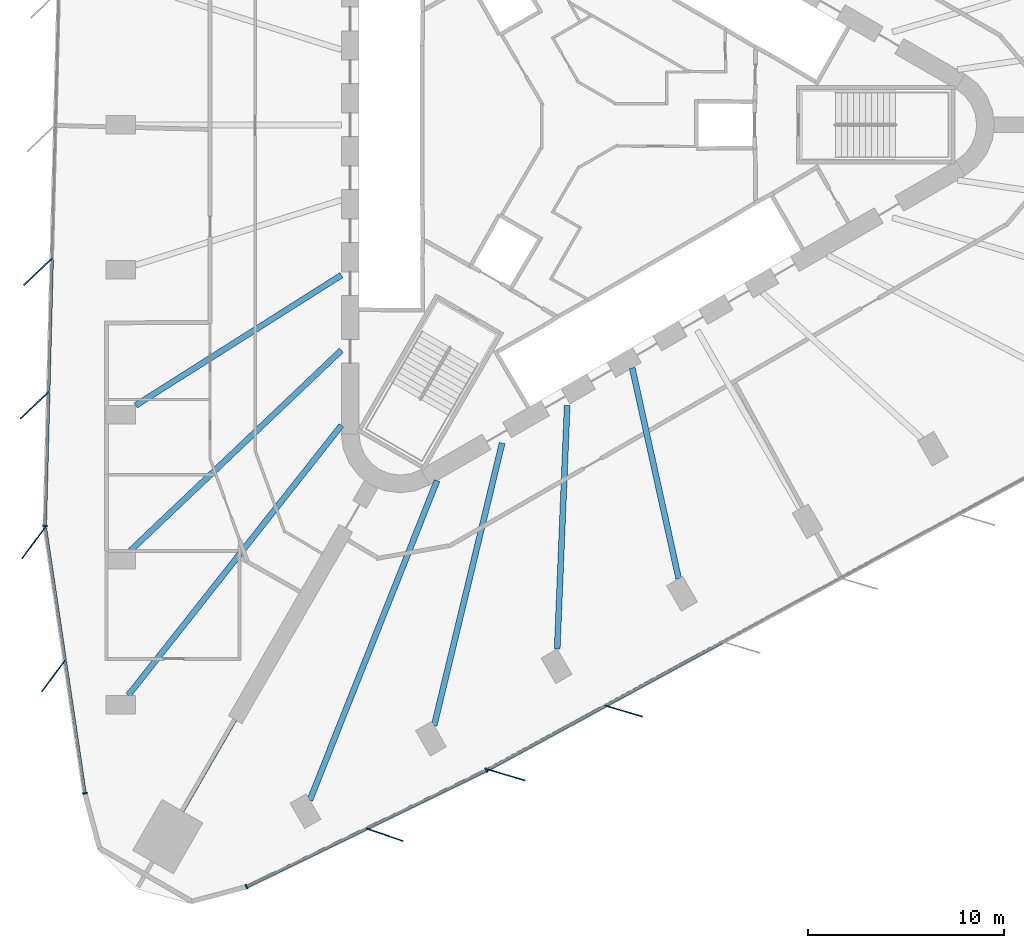
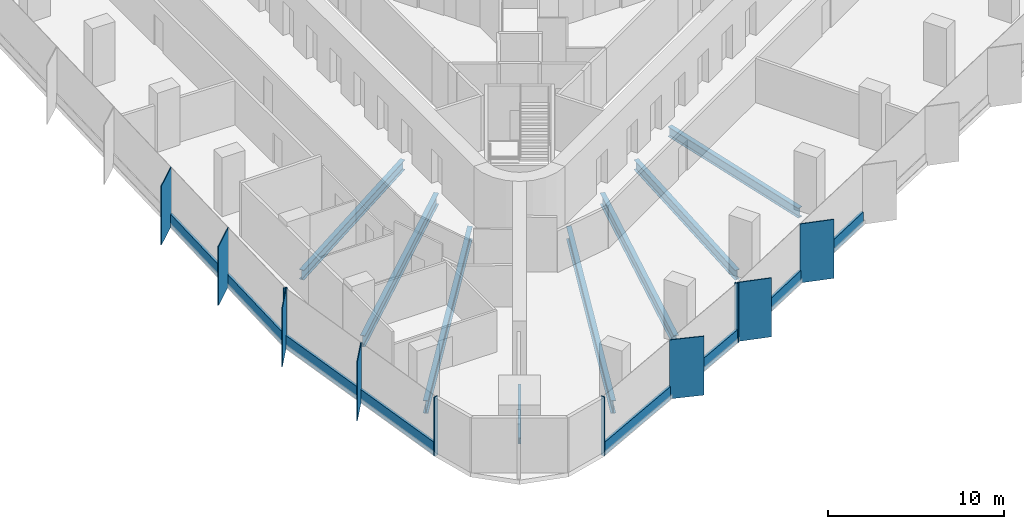
# One storey, part 2 of 13: 19 members, 8 beams, 4 elements without a shape of their own.
"""IFC4 building model written with IfcOpenShell, lengths in metres."""

from ifc_helpers import new_model, si_unit, direction, frame, origin, origin_2d, place, context, subcontext, project, spatial, rectangle, i_section, extrude, material, material_profile, profile_set, type_object, element, aggregate, save


model = new_model("IFC4")

# Units and contexts
model_context = context("Model", 3, precision=1e-05, world=origin(), true_north=direction((0.0, 1.0)))
body_context = subcontext(model_context, "Body", "Model", "MODEL_VIEW")
ifc_project = project(units=[si_unit("LENGTHUNIT", "METRE"), si_unit("AREAUNIT", "SQUARE_METRE"), si_unit("VOLUMEUNIT", "CUBIC_METRE"), si_unit("PLANEANGLEUNIT", "RADIAN"), si_unit("MASSUNIT", "GRAM", prefix="KILO")], contexts=[model_context])

# Site, building, storey
site_placement = place(None, origin())
site = spatial("IfcSite", under=ifc_project, at=site_placement, CompositionType="ELEMENT")
building_placement = place(site_placement, origin())
building = spatial("IfcBuilding", under=site, at=building_placement, Name="Tanit Gate Tower", CompositionType="ELEMENT")
storey_placement = place(building_placement, frame((0.0, 0.0, 66.0)))
storey = spatial("IfcBuildingStorey", under=building, at=storey_placement, Name="L12", CompositionType="ELEMENT", Elevation=66.0)

# Curtain wall, members
ifc_material_1 = material(Name="Aluminium bronze anodised and glass", Category="aluminium")
curtain_wall_type = type_object("IfcCurtainWallType", Name="Curtain wall typical low", PredefinedType="NOTDEFINED", material=ifc_material_1)
curtain_wall_1_placement = place(storey_placement, origin())
curtain_wall_1 = element("IfcCurtainWall", 1, at=curtain_wall_1_placement, inside=storey, type_object=curtain_wall_type, Name="Curtain wall L12 W2", PredefinedType="NOTDEFINED")
ifc_material_2 = material(Name="Aluminium bronze anodised", Category="aluminium")
ifc_material_profile_1 = material_profile(ifc_material_2, rectangle(XDim=2.0, YDim=0.055908203125, at=origin_2d()), Name="56x2000 bronze fin mullion")
ifc_profile_set_1 = profile_set([ifc_material_profile_1], Name="Aluminium bronze anodised")
member_type_1 = type_object("IfcMemberType", Name="FIN MULLION 56x2000 bronze", PredefinedType="MULLION", material=ifc_profile_set_1)
member_1_placement = place(storey_placement, frame((-27.569580078125, -7.487548828125, -0.300048828125), z_axis=(0.0, 0.0, 1.0), x_axis=(0.725200158595, 0.688538110764, 0.0)))
member_1 = element("IfcMember", 2, at=member_1_placement, type_object=member_type_1, Name="Fin mullion L12 W2.5", PredefinedType="MULLION", context=body_context, shape_type="SweptSolid", body=[
    extrude(rectangle(XDim=2.0, YDim=0.055908203125, at=origin_2d()), origin(), (0.0, 0.0, 1.0), 4.10009765625),
])
member_2_placement = place(storey_placement, frame((-27.746337890625, -14.302978515625, -0.300048828125), z_axis=(0.0, 0.0, 1.0), x_axis=(0.725200158595, 0.688538110764, 0.0)))
member_2 = element("IfcMember", 3, at=member_2_placement, type_object=member_type_1, Name="Fin mullion L12 W2.6", PredefinedType="MULLION", context=body_context, shape_type="SweptSolid", body=[
    extrude(rectangle(XDim=2.0, YDim=0.055908203125, at=origin_2d()), origin(), (0.0, 0.0, 1.0), 4.10009765625),
])

curtain_wall_2_placement = place(storey_placement, origin())
curtain_wall_2 = element("IfcCurtainWall", 4, at=curtain_wall_2_placement, inside=storey, type_object=curtain_wall_type, Name="Curtain wall L12 W3", PredefinedType="NOTDEFINED")
member_3_placement = place(storey_placement, frame((-27.790771484375, -21.310546875, -0.300048828125), z_axis=(0.0, 0.0, 1.0), x_axis=(0.594863059212, 0.803827059003, 0.0)))
member_3 = element("IfcMember", 5, at=member_3_placement, type_object=member_type_1, Name="Fin mullion L12 W3.1", PredefinedType="MULLION", context=body_context, shape_type="SweptSolid", body=[
    extrude(rectangle(XDim=2.0, YDim=0.055908203125, at=origin_2d()), origin(), (0.0, 0.0, 1.0), 4.10009765625),
])
member_4_placement = place(storey_placement, frame((-26.777587890625, -28.09326171875, -0.300048828125), z_axis=(0.0, 0.0, 1.0), x_axis=(0.594863059212, 0.803827059003, 0.0)))
member_4 = element("IfcMember", 6, at=member_4_placement, type_object=member_type_1, Name="Fin mullion L12 W3.2", PredefinedType="MULLION", context=body_context, shape_type="SweptSolid", body=[
    extrude(rectangle(XDim=2.0, YDim=0.055908203125, at=origin_2d()), origin(), (0.0, 0.0, 1.0), 4.10009765625),
])

# Curtain wall, member
curtain_wall_3_placement = place(storey_placement, origin())
curtain_wall_3 = element("IfcCurtainWall", 7, at=curtain_wall_3_placement, inside=storey, type_object=curtain_wall_type, Name="Curtain wall L12 SE1", PredefinedType="NOTDEFINED")
member_5_placement = place(storey_placement, frame((-9.89599609375, -36.200927734375, -0.300048828125), z_axis=(0.0, 0.0, 1.0), x_axis=(-0.944974693541, 0.327143437299, 0.0)))
member_5 = element("IfcMember", 8, at=member_5_placement, type_object=member_type_1, Name="Fin mullion L12 SE1.2", PredefinedType="MULLION", context=body_context, shape_type="SweptSolid", body=[
    extrude(rectangle(XDim=2.0, YDim=0.055908203125, at=origin_2d()), origin(), (0.0, 0.0, 1.0), 4.10009765625),
])

# Curtain wall, members
curtain_wall_4_placement = place(storey_placement, origin())
curtain_wall_4 = element("IfcCurtainWall", 9, at=curtain_wall_4_placement, inside=storey, type_object=curtain_wall_type, Name="Curtain wall L12 SE2", PredefinedType="NOTDEFINED")
member_6_placement = place(storey_placement, frame((-3.693359375, -33.150634765625, -0.300048828125), z_axis=(0.0, 0.0, 1.0), x_axis=(-0.958891574692, 0.28377270479, 0.0)))
member_6 = element("IfcMember", 10, at=member_6_placement, type_object=member_type_1, Name="Fin mullion L12 SE2.1", PredefinedType="MULLION", context=body_context, shape_type="SweptSolid", body=[
    extrude(rectangle(XDim=2.0, YDim=0.055908203125, at=origin_2d()), origin(), (0.0, 0.0, 1.0), 4.10009765625),
])
member_7_placement = place(storey_placement, frame((2.29736328125, -29.89599609375, -0.300048828125), z_axis=(0.0, 0.0, 1.0), x_axis=(-0.958891574692, 0.28377270479, 0.0)))
member_7 = element("IfcMember", 11, at=member_7_placement, type_object=member_type_1, Name="Fin mullion L12 SE2.2", PredefinedType="MULLION", context=body_context, shape_type="SweptSolid", body=[
    extrude(rectangle(XDim=2.0, YDim=0.055908203125, at=origin_2d()), origin(), (0.0, 0.0, 1.0), 4.10009765625),
])

# Member
ifc_material_3 = material(Name="Aluminium bronze anodised", Category="aluminium")
ifc_material_profile_2 = material_profile(ifc_material_3, rectangle(XDim=0.239990234375, YDim=0.080078125, at=origin_2d()), Name="80x240 bronze mullion")
ifc_profile_set_2 = profile_set([ifc_material_profile_2], Name="Aluminium bronze anodised")
member_type_2 = type_object("IfcMemberType", Name="Mullion 80x240 typical low", PredefinedType="MULLION", material=ifc_profile_set_2)
member_8_placement = place(storey_placement, frame((-27.21435546875, -20.4453125, -0.300048828125), z_axis=(0.0, 0.0, 1.0), x_axis=(0.999663917086, -0.025923982634, 0.0)))
member_8 = element("IfcMember", 12, at=member_8_placement, type_object=member_type_2, Name="Mullion L12 W2.7", PredefinedType="MULLION", context=body_context, shape_type="SweptSolid", body=[
    extrude(rectangle(XDim=0.239990234375, YDim=0.080078125, at=origin_2d()), origin(), (0.0, 0.0, 1.0), 4.10009765625),
])

member_9_placement = place(storey_placement, frame((-25.182861328125, -34.09033203125, -0.300048828125), z_axis=(0.0, 0.0, 1.0), x_axis=(0.989023267368, 0.147759861276, 0.0)))
member_9 = element("IfcMember", 13, at=member_9_placement, type_object=member_type_2, Name="Mullion L12 W3.3", PredefinedType="MULLION", context=body_context, shape_type="SweptSolid", body=[
    extrude(rectangle(XDim=0.239990234375, YDim=0.080078125, at=origin_2d()), origin(), (0.0, 0.0, 1.0), 4.10009765625),
])

member_10_placement = place(storey_placement, frame((-16.9375, -38.8525390625, -0.300048828125), z_axis=(0.0, 0.0, 1.0), x_axis=(-0.436872670918, 0.899523356787, 0.0)))
member_10 = element("IfcMember", 14, at=member_10_placement, type_object=member_type_2, Name="Mullion L12 SE1.1", PredefinedType="MULLION", context=body_context, shape_type="SweptSolid", body=[
    extrude(rectangle(XDim=0.239990234375, YDim=0.080078125, at=origin_2d()), origin(), (0.0, 0.0, 1.0), 4.10009765625),
])

member_11_placement = place(storey_placement, frame((-4.70166015625, -32.909912109375, -0.300048828125), z_axis=(0.0, 0.0, 1.0), x_axis=(-0.436872670918, 0.899523356787, 0.0)))
member_11 = element("IfcMember", 15, at=member_11_placement, type_object=member_type_2, Name="Mullion L12 SE1.3", PredefinedType="MULLION", context=body_context, shape_type="SweptSolid", body=[
    extrude(rectangle(XDim=0.239990234375, YDim=0.080078125, at=origin_2d()), origin(), (0.0, 0.0, 1.0), 4.10009765625),
])

# Beams
ifc_material_4 = material(Name="Steel S355", Category="steel")
ifc_material_profile_3 = material_profile(ifc_material_4, i_section(OverallWidth=0.300048828125, OverallDepth=0.68994140625, WebThickness=0.014404296875, FlangeThickness=0.027099609375, FilletRadius=0.027099609375, at=origin_2d()), Name="HEA 700")
ifc_profile_set_3 = profile_set([ifc_material_profile_3], Name="Steel S355")
beam_type_1 = type_object("IfcBeamType", Name="RADIAL GIRDER HEA 700 S355", PredefinedType="BEAM", material=ifc_profile_set_3)
for number, where, z_axis, x_axis, name in (
    (16, (-22.594482421875, -14.30810546875, -0.64501953125), (0.844843658907, 0.535013263392, 0.0), (-0.535013263392, 0.844843658907, 0.0), "RADIAL GIRDER"),
    (17, (-1.09375, -26.721435546875, -0.64501953125), (0.040888907348, 0.999163698928, 0.0), (-0.999163698928, 0.040888907348, 0.0), "RADIAL GIRDER"),
):
    element("IfcBeam", number, at=place(storey_placement, frame(where, z_axis=z_axis, x_axis=x_axis)), inside=storey, type_object=beam_type_1, Name=name, PredefinedType="BEAM", context=body_context, shape_type="SweptSolid", body=[
        extrude(i_section(OverallWidth=0.300048828125, OverallDepth=0.68994140625, WebThickness=0.014404296875, FlangeThickness=0.027099609375, FilletRadius=0.027099609375, at=origin_2d()), origin(), (0.0, 0.0, 1.0), 12.41943359375),
    ])
beam_1_placement = place(storey_placement, frame((5.101806640625, -23.144287109375, -0.64501953125), z_axis=(-0.215262511862, 0.976556220085, 0.0), x_axis=(-0.976556220085, -0.215262511862, 0.0)))
element("IfcBeam", 18, at=beam_1_placement, inside=storey, type_object=beam_type_1, Name="RADIAL GIRDER", PredefinedType="BEAM", context=body_context, shape_type="SweptSolid", body=[
    extrude(i_section(OverallWidth=0.300048828125, OverallDepth=0.68994140625, WebThickness=0.014404296875, FlangeThickness=0.027099609375, FilletRadius=0.027099609375, at=origin_2d()), origin(), (0.0, 0.0, 1.0), 11.005859375),
])
ifc_material_5 = material(Name="Steel S355", Category="steel")
ifc_material_profile_4 = material_profile(ifc_material_5, i_section(OverallWidth=0.300048828125, OverallDepth=0.7900390625, WebThickness=0.014892578125, FlangeThickness=0.028076171875, FilletRadius=0.030029296875, at=origin_2d()), Name="HEA 800")
ifc_profile_set_4 = profile_set([ifc_material_profile_4], Name="Steel S355")
beam_type_2 = type_object("IfcBeamType", Name="RADIAL GIRDER HEA 800 S355", PredefinedType="BEAM", material=ifc_profile_set_4)
beam_2_placement = place(storey_placement, frame((-22.844482421875, -21.69921875, -0.695068359375), z_axis=(0.725048389389, 0.688697925831, 0.0), x_axis=(-0.688697925831, 0.725048389389, 0.0)))
element("IfcBeam", 19, at=beam_2_placement, inside=storey, type_object=beam_type_2, Name="RADIAL GIRDER", PredefinedType="BEAM", context=body_context, shape_type="SweptSolid", body=[
    extrude(i_section(OverallWidth=0.300048828125, OverallDepth=0.7900390625, WebThickness=0.014892578125, FlangeThickness=0.028076171875, FilletRadius=0.030029296875, at=origin_2d()), origin(), (0.0, 0.0, 1.0), 14.816162109375),
])
beam_3_placement = place(storey_placement, frame((-7.3701171875, -30.633544921875, -0.695068359375), z_axis=(0.233918851889, 0.972256124039, 0.0), x_axis=(-0.972256124039, 0.233918851889, 0.0)))
element("IfcBeam", 20, at=beam_3_placement, inside=storey, type_object=beam_type_2, Name="RADIAL GIRDER", PredefinedType="BEAM", context=body_context, shape_type="SweptSolid", body=[
    extrude(i_section(OverallWidth=0.300048828125, OverallDepth=0.7900390625, WebThickness=0.014892578125, FlangeThickness=0.028076171875, FilletRadius=0.030029296875, at=origin_2d()), origin(), (0.0, 0.0, 1.0), 14.81640625),
])
ifc_material_6 = material(Name="Steel S355", Category="steel")
ifc_material_profile_5 = material_profile(ifc_material_6, i_section(OverallWidth=0.300048828125, OverallDepth=0.889892578125, WebThickness=0.01611328125, FlangeThickness=0.030029296875, FilletRadius=0.030029296875, at=origin_2d()), Name="HEA 900")
ifc_profile_set_5 = profile_set([ifc_material_profile_5], Name="Steel S355")
beam_type_3 = type_object("IfcBeamType", Name="RADIAL GIRDER HEA 900 S355", PredefinedType="BEAM", material=ifc_profile_set_5)
for number, where, z_axis, x_axis, name in (
    (21, (-22.969482421875, -29.0908203125, -0.7451171875), (0.619692585411, 0.784844634043, 0.0), (-0.784844634043, 0.619692585411, 0.0), "RADIAL GIRDER"),
    (22, (-13.708740234375, -34.4375, -0.7451171875), (0.369856388191, 0.929088936601, 0.0), (-0.929088936601, 0.369856388191, 0.0), "RADIAL GIRDER"),
):
    element("IfcBeam", number, at=place(storey_placement, frame(where, z_axis=z_axis, x_axis=x_axis)), inside=storey, type_object=beam_type_3, Name=name, PredefinedType="BEAM", context=body_context, shape_type="SweptSolid", body=[
        extrude(i_section(OverallWidth=0.300048828125, OverallDepth=0.889892578125, WebThickness=0.01611328125, FlangeThickness=0.030029296875, FilletRadius=0.030029296875, at=origin_2d()), origin(), (0.0, 0.0, 1.0), 17.536865234375),
    ])
ifc_material_7 = material(Name="Steel S355", Category="steel")
ifc_material_profile_6 = material_profile(ifc_material_7, i_section(OverallWidth=0.179931640625, OverallDepth=0.39990234375, WebThickness=0.008544921875, FlangeThickness=0.013427734375, FilletRadius=0.02099609375, at=origin_2d()), Name="IPE 400")
ifc_profile_set_6 = profile_set([ifc_material_profile_6], Name="Steel S355")
beam_type_4 = type_object("IfcBeamType", Name="RADIAL GIRDER IPE 400 S355", PredefinedType="BEAM", material=ifc_profile_set_6)
beam_4_placement = place(storey_placement, frame((-20.206787109375, -34.999267578125, -0.5), z_axis=(0.499994808408, 0.866028401131, 0.0), x_axis=(-0.866028401131, 0.499994808408, 0.0)))
element("IfcBeam", 23, at=beam_4_placement, inside=storey, type_object=beam_type_4, Name="RADIAL GIRDER", PredefinedType="BEAM", context=body_context, shape_type="SweptSolid", body=[
    extrude(i_section(OverallWidth=0.179931640625, OverallDepth=0.39990234375, WebThickness=0.008544921875, FlangeThickness=0.013427734375, FilletRadius=0.02099609375, at=origin_2d()), origin(), (0.0, 0.0, 1.0), 5.3798828125),
])

# Member
ifc_material_8 = material(Name="Aluminium bronze anodised", Category="aluminium")
ifc_material_profile_7 = material_profile(ifc_material_8, rectangle(XDim=0.159912109375, YDim=0.89990234375, at=origin_2d()), Name="160x900 bronze transom")
ifc_profile_set_7 = profile_set([ifc_material_profile_7], Name="Aluminium bronze anodised")
member_type_3 = type_object("IfcMemberType", Name="Transom 160x900 typical low", PredefinedType="USERDEFINED", material=ifc_profile_set_7)
member_12_placement = place(storey_placement, frame((-26.86181640625, -6.8544921875, 0.14990234375), z_axis=(-0.025943636941, -0.999663407204, 0.0), x_axis=(0.999663407204, -0.025943636941, 0.0)))
member_12 = element("IfcMember", 24, at=member_12_placement, type_object=member_type_3, Name="Transom L12 W2.5", ObjectType="TRANSOM", PredefinedType="USERDEFINED", context=body_context, shape_type="SweptSolid", body=[
    extrude(rectangle(XDim=0.159912109375, YDim=0.89990234375, at=origin_2d()), origin(), (0.0, 0.0, 1.0), 6.73779296875),
])

member_13_placement = place(storey_placement, frame((-27.03857421875, -13.669921875, 0.14990234375), z_axis=(-0.025944576703, -0.999663382814, 0.0), x_axis=(0.999663382814, -0.025944576703, 0.0)))
member_13 = element("IfcMember", 25, at=member_13_placement, type_object=member_type_3, Name="Transom L12 W2.6", ObjectType="TRANSOM", PredefinedType="USERDEFINED", context=body_context, shape_type="SweptSolid", body=[
    extrude(rectangle(XDim=0.159912109375, YDim=0.89990234375, at=origin_2d()), origin(), (0.0, 0.0, 1.0), 6.737548828125),
])

aggregate(curtain_wall_1, [member_1, member_2, member_8, member_12, member_13])

member_14_placement = place(storey_placement, frame((-27.20361328125, -20.564453125, 0.14990234375), z_axis=(0.147787369873, -0.989019157199, 0.0), x_axis=(0.989019157199, 0.147787369873, 0.0)))
member_14 = element("IfcMember", 26, at=member_14_placement, type_object=member_type_3, Name="Transom L12 W3.1", ObjectType="TRANSOM", PredefinedType="USERDEFINED", context=body_context, shape_type="SweptSolid", body=[
    extrude(rectangle(XDim=0.159912109375, YDim=0.89990234375, at=origin_2d()), origin(), (0.0, 0.0, 1.0), 6.778076171875),
])

member_15_placement = place(storey_placement, frame((-26.190185546875, -27.34716796875, 0.14990234375), z_axis=(0.14775213695, -0.98902442135, 0.0), x_axis=(0.98902442135, 0.14775213695, 0.0)))
member_15 = element("IfcMember", 27, at=member_15_placement, type_object=member_type_3, Name="Transom L12 W3.2", ObjectType="TRANSOM", PredefinedType="USERDEFINED", context=body_context, shape_type="SweptSolid", body=[
    extrude(rectangle(XDim=0.159912109375, YDim=0.89990234375, at=origin_2d()), origin(), (0.0, 0.0, 1.0), 6.778076171875),
])

aggregate(curtain_wall_2, [member_3, member_4, member_9, member_14, member_15])

member_16_placement = place(storey_placement, frame((-16.901611328125, -38.8349609375, 0.14990234375), z_axis=(0.899532628231, 0.436853580445, 0.0), x_axis=(-0.436853580445, 0.899532628231, 0.0)))
member_16 = element("IfcMember", 28, at=member_16_placement, type_object=member_type_3, Name="Transom L12 SE1.1", ObjectType="TRANSOM", PredefinedType="USERDEFINED", context=body_context, shape_type="SweptSolid", body=[
    extrude(rectangle(XDim=0.159912109375, YDim=0.89990234375, at=origin_2d()), origin(), (0.0, 0.0, 1.0), 6.721435546875),
])

member_17_placement = place(storey_placement, frame((-10.78369140625, -35.86376953125, 0.14990234375), z_axis=(0.899532628231, 0.436853580445, 0.0), x_axis=(-0.436853580445, 0.899532628231, 0.0)))
member_17 = element("IfcMember", 29, at=member_17_placement, type_object=member_type_3, Name="Transom L12 SE1.2", ObjectType="TRANSOM", PredefinedType="USERDEFINED", context=body_context, shape_type="SweptSolid", body=[
    extrude(rectangle(XDim=0.159912109375, YDim=0.89990234375, at=origin_2d()), origin(), (0.0, 0.0, 1.0), 6.721435546875),
])

aggregate(curtain_wall_3, [member_10, member_5, member_11, member_16, member_17])

member_18_placement = place(storey_placement, frame((-4.595458984375, -32.854248046875, 0.14990234375), z_axis=(0.878705798201, 0.47736371899, 0.0), x_axis=(-0.47736371899, 0.878705798201, 0.0)))
member_18 = element("IfcMember", 30, at=member_18_placement, type_object=member_type_3, Name="Transom L12 SE2.1", ObjectType="TRANSOM", PredefinedType="USERDEFINED", context=body_context, shape_type="SweptSolid", body=[
    extrude(rectangle(XDim=0.159912109375, YDim=0.89990234375, at=origin_2d()), origin(), (0.0, 0.0, 1.0), 6.737548828125),
])

member_19_placement = place(storey_placement, frame((1.395263671875, -29.599609375, 0.14990234375), z_axis=(0.878705798201, 0.47736371899, 0.0), x_axis=(-0.47736371899, 0.878705798201, 0.0)))
member_19 = element("IfcMember", 31, at=member_19_placement, type_object=member_type_3, Name="Transom L12 SE2.2", ObjectType="TRANSOM", PredefinedType="USERDEFINED", context=body_context, shape_type="SweptSolid", body=[
    extrude(rectangle(XDim=0.159912109375, YDim=0.89990234375, at=origin_2d()), origin(), (0.0, 0.0, 1.0), 6.737548828125),
])

aggregate(curtain_wall_4, [member_6, member_7, member_18, member_19])

save(model, "model.ifc")
